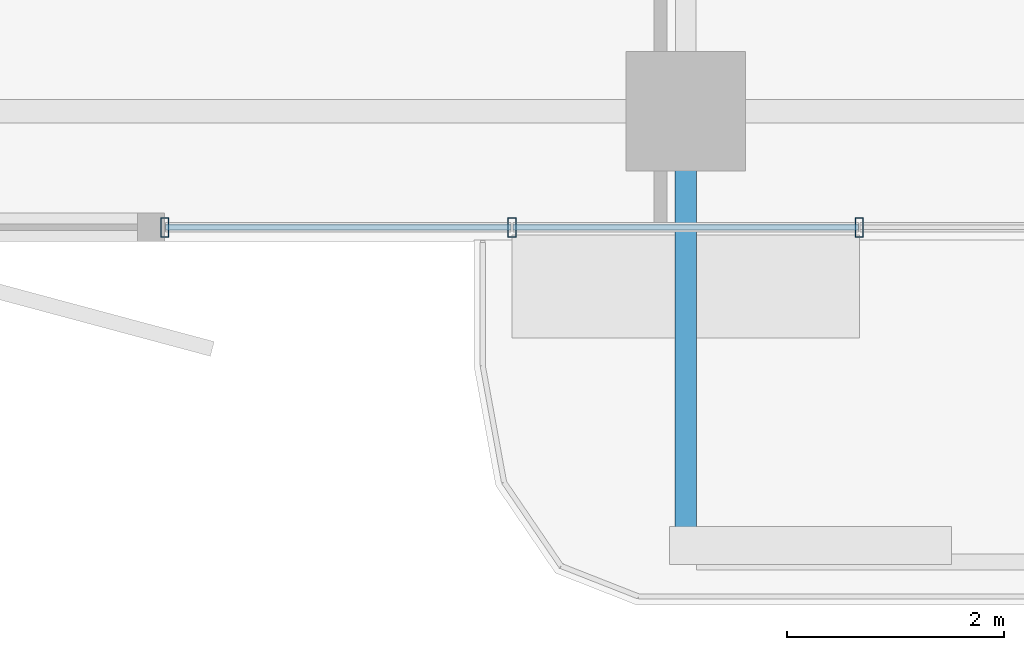
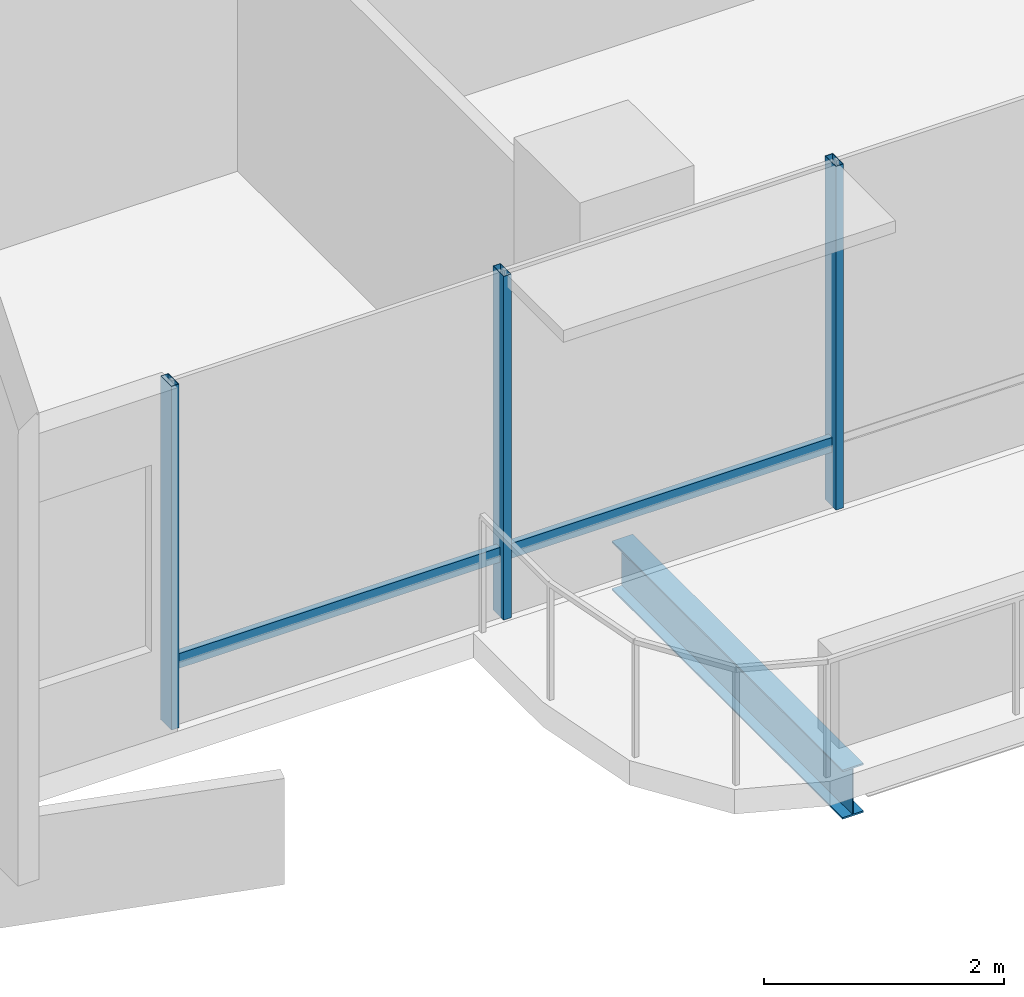
# One storey, part 2 of 24: 5 members, 1 beam, 1 element without a shape of its own.
"""IFC4 building model written with IfcOpenShell, lengths in metres."""

from ifc_helpers import new_model, si_unit, direction, frame, origin, origin_2d, place, context, subcontext, project, spatial, hollow_rectangle, i_section, extrude, material, layer, layer_set, material_profile, profile_set, type_object, element, aggregate, save


model = new_model("IFC4")

# Units and contexts
model_context = context("Model", 3, precision=1e-05, world=origin(), true_north=direction((0.0, 1.0)))
body_context = subcontext(model_context, "Body", "Model", "MODEL_VIEW")
ifc_project = project(units=[si_unit("LENGTHUNIT", "METRE"), si_unit("AREAUNIT", "SQUARE_METRE"), si_unit("VOLUMEUNIT", "CUBIC_METRE"), si_unit("PLANEANGLEUNIT", "RADIAN"), si_unit("MASSUNIT", "GRAM", prefix="KILO")], contexts=[model_context])

# Site, building, storey
site_placement = place(None, origin())
site = spatial("IfcSite", under=ifc_project, at=site_placement, CompositionType="ELEMENT")
building_placement = place(site_placement, origin())
building = spatial("IfcBuilding", under=site, at=building_placement, Name="Belovzor Exchange Tower", CompositionType="ELEMENT")
storey_placement = place(building_placement, frame((0.0, 0.0, 211.199951171875)))
storey = spatial("IfcBuildingStorey", under=building, at=storey_placement, Name="L52", CompositionType="ELEMENT", Elevation=211.199951171875)

# Beam
ifc_material_1 = material(Name="Steel S355", Category="steel")
ifc_material_profile_1 = material_profile(ifc_material_1, i_section(OverallWidth=0.199951171875, OverallDepth=0.5, WebThickness=0.01025390625, FlangeThickness=0.01611328125, at=origin_2d()))
ifc_profile_set_1 = profile_set([ifc_material_profile_1], Name="Steel S355")
beam_type = type_object("IfcBeamType", Name="Planted Balcony Cantilever Beam IPE 500", PredefinedType="BEAM", material=ifc_profile_set_1)
beam_placement = place(storey_placement, frame((28.800048828125, 2.697021484375, -0.5), z_axis=(0.0, -1.0, 0.0), x_axis=(1.0, 0.0, 0.0)))
element("IfcBeam", 1, at=beam_placement, inside=storey, type_object=beam_type, Name="BC-500 Planted Balcony Cantilever Beam IPE 500", PredefinedType="BEAM", context=body_context, shape_type="SweptSolid", body=[
    extrude(i_section(OverallWidth=0.199951171875, OverallDepth=0.5, WebThickness=0.01025390625, FlangeThickness=0.01611328125, at=origin_2d()), origin(), (0.0, 0.0, 1.0), 3.85009765625),
])

# Curtain wall, members
ifc_material_2 = material(Name="Anodised Aluminium Framing", Category="aluminium")
ifc_layer = layer(ifc_material_2, 0.179931640625)
ifc_layer_set = layer_set([ifc_layer], Name="Anodised Aluminium Framing")
curtain_wall_type = type_object("IfcCurtainWallType", Name="Recessed Loggia Low-Iron Triple-Glazed Curtain Wall", PredefinedType="NOTDEFINED", material=ifc_layer_set)
curtain_wall_placement = place(storey_placement, origin())
curtain_wall = element("IfcCurtainWall", 2, at=curtain_wall_placement, inside=storey, type_object=curtain_wall_type, Name="CW3 Recessed Loggia Low-Iron Triple-Glazed Curtain Wall L52", PredefinedType="NOTDEFINED")
ifc_material_3 = material(Name="Steel S355", Category="steel")
ifc_material_profile_2 = material_profile(ifc_material_3, hollow_rectangle(XDim=0.074951171875, YDim=0.179931640625, WallThickness=0.0048828125, at=origin_2d()))
ifc_profile_set_2 = profile_set([ifc_material_profile_2], Name="Steel S355")
member_type_1 = type_object("IfcMemberType", Name="Thermally Broken Curtain Wall Mullion 180x75", PredefinedType="MULLION", material=ifc_profile_set_2)
member_1_placement = place(storey_placement, frame((30.39990234375, 1.929931640625, 0.0), z_axis=(0.0, 0.0, 1.0), x_axis=(-1.0, 0.0, 0.0)))
member_1 = element("IfcMember", 3, at=member_1_placement, type_object=member_type_1, Name="CW-M180 Curtain Wall Mullion 2", PredefinedType="MULLION", context=body_context, shape_type="SweptSolid", body=[
    extrude(hollow_rectangle(XDim=0.074951171875, YDim=0.179931640625, WallThickness=0.0048828125, at=origin_2d()), origin(), (0.0, 0.0, 1.0), 3.5),
])
member_2_placement = place(storey_placement, frame((27.199951171875, 1.929931640625, 0.0), z_axis=(0.0, 0.0, 1.0), x_axis=(-1.0, 0.0, 0.0)))
member_2 = element("IfcMember", 4, at=member_2_placement, type_object=member_type_1, Name="CW-M180 Curtain Wall Mullion 3", PredefinedType="MULLION", context=body_context, shape_type="SweptSolid", body=[
    extrude(hollow_rectangle(XDim=0.074951171875, YDim=0.179931640625, WallThickness=0.0048828125, at=origin_2d()), origin(), (0.0, 0.0, 1.0), 3.5),
])
member_3_placement = place(storey_placement, frame((24.0, 1.929931640625, 0.0), z_axis=(0.0, 0.0, 1.0), x_axis=(-1.0, 0.0, 0.0)))
member_3 = element("IfcMember", 5, at=member_3_placement, type_object=member_type_1, Name="CW-M180 Curtain Wall Mullion 4", PredefinedType="MULLION", context=body_context, shape_type="SweptSolid", body=[
    extrude(hollow_rectangle(XDim=0.074951171875, YDim=0.179931640625, WallThickness=0.0048828125, at=origin_2d()), origin(), (0.0, 0.0, 1.0), 3.5),
])
ifc_material_4 = material(Name="Steel S355", Category="steel")
ifc_material_profile_3 = material_profile(ifc_material_4, hollow_rectangle(XDim=0.06005859375, YDim=0.14990234375, WallThickness=0.00390625, at=origin_2d()))
ifc_profile_set_3 = profile_set([ifc_material_profile_3], Name="Steel S355")
member_type_2 = type_object("IfcMemberType", Name="Thermally Broken Curtain Wall Transom 150x60", PredefinedType="USERDEFINED", material=ifc_profile_set_3)
member_4_placement = place(storey_placement, frame((30.39208984375, 1.929931640625, 0.630126953125), z_axis=(-1.0, 0.0, 0.0), x_axis=(0.0, -1.0, 0.0)))
member_4 = element("IfcMember", 6, at=member_4_placement, type_object=member_type_2, Name="CW-T150 Curtain Wall Transom 2", ObjectType="TRANSOM", PredefinedType="USERDEFINED", context=body_context, shape_type="SweptSolid", body=[
    extrude(hollow_rectangle(XDim=0.06005859375, YDim=0.14990234375, WallThickness=0.00390625, at=origin_2d()), origin(), (0.0, 0.0, 1.0), 3.18408203125),
])
member_5_placement = place(storey_placement, frame((27.19189453125, 1.929931640625, 0.630126953125), z_axis=(-1.0, 0.0, 0.0), x_axis=(0.0, -1.0, 0.0)))
member_5 = element("IfcMember", 7, at=member_5_placement, type_object=member_type_2, Name="CW-T150 Curtain Wall Transom 3", ObjectType="TRANSOM", PredefinedType="USERDEFINED", context=body_context, shape_type="SweptSolid", body=[
    extrude(hollow_rectangle(XDim=0.06005859375, YDim=0.14990234375, WallThickness=0.00390625, at=origin_2d()), origin(), (0.0, 0.0, 1.0), 3.183837890625),
])
aggregate(curtain_wall, [member_1, member_2, member_3, member_4, member_5])

save(model, "model.ifc")
